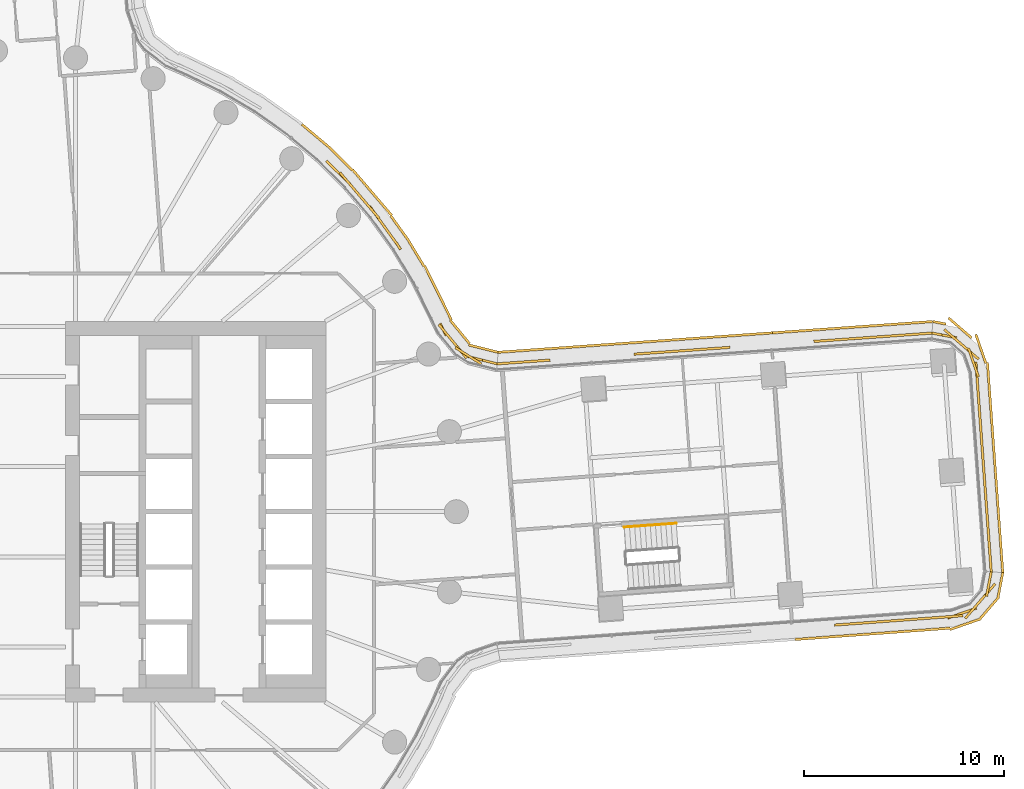
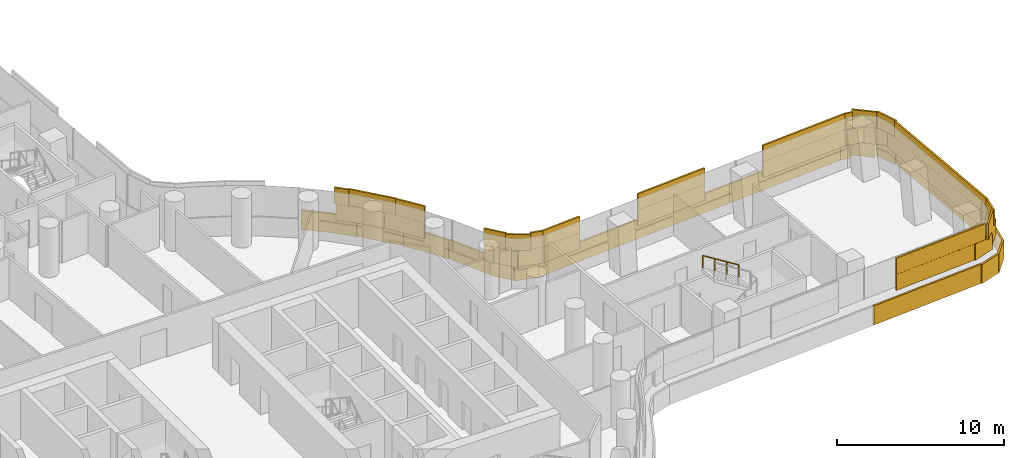
# One storey, part 29 of 31: 5 coverings, 1 railing.
"""IFC4 building model written with IfcOpenShell, lengths in metres."""

from ifc_helpers import new_model, si_unit, direction, frame, origin, origin_2d, place, context, subcontext, project, spatial, rectangle, circle, extrude, material, layer, layer_set, type_object, element, save


model = new_model("IFC4")

# Units and contexts
model_context = context("Model", 3, precision=1e-05, world=origin(), true_north=direction((0.0, 1.0)))
body_context = subcontext(model_context, "Body", "Model", "MODEL_VIEW")
ifc_project = project(units=[si_unit("LENGTHUNIT", "METRE"), si_unit("AREAUNIT", "SQUARE_METRE"), si_unit("VOLUMEUNIT", "CUBIC_METRE"), si_unit("PLANEANGLEUNIT", "RADIAN"), si_unit("MASSUNIT", "GRAM", prefix="KILO")], contexts=[model_context])

# Site, building, storey
site_placement = place(None, origin())
site = spatial("IfcSite", under=ifc_project, at=site_placement, CompositionType="ELEMENT")
building_placement = place(site_placement, origin())
building = spatial("IfcBuilding", under=site, at=building_placement, Name="Tamarind Cross Interchange Tower", CompositionType="ELEMENT")
storey_placement = place(building_placement, frame((0.0, 0.0, 49.0)))
storey = spatial("IfcBuildingStorey", under=building, at=storey_placement, Name="L10", CompositionType="ELEMENT", Elevation=49.0)

# Railing
ifc_material_1 = material(Name="Stair handrail")
railing_type = type_object("IfcRailingType", Name="Stair handrail", PredefinedType="HANDRAIL", material=ifc_material_1)
railing_placement = place(storey_placement, frame((33.97412109375, -0.578857421875, 2.04541015625)))
element("IfcRailing", 1, at=railing_placement, inside=storey, type_object=railing_type, Name="L10 ST3 stair handrail 2", PredefinedType="HANDRAIL", context=body_context, shape_type="SweptSolid", body=[
    extrude(circle(Radius=0.02392578125, at=origin_2d()), frame((0.0, 0.0, 0.8759765625), z_axis=(-0.834086614599, -0.060934966384, 0.548257648572), x_axis=(0.072861742749, -0.997342050875, 0.0)), (0.0, 0.0, 1.0), 3.109130859375),
    extrude(circle(Radius=0.02099609375, at=origin_2d()), origin(), (0.0, 0.0, 1.0), 0.851806640625),
    extrude(circle(Radius=0.02099609375, at=origin_2d()), frame((-0.864501953125, -0.063232421875, 0.568115234375)), (0.0, 0.0, 1.0), 0.851806640625),
    extrude(circle(Radius=0.02099609375, at=origin_2d()), frame((-1.728759765625, -0.126220703125, 1.136474609375)), (0.0, 0.0, 1.0), 0.851806640625),
    extrude(circle(Radius=0.02099609375, at=origin_2d()), frame((-2.59326171875, -0.189453125, 1.70458984375)), (0.0, 0.0, 1.0), 0.851806640625),
])

# Coverings
ifc_material_2 = material(Name="Terracotta", Category="masonry")
ifc_layer = layer(ifc_material_2, 0.1201171875)
ifc_layer_set = layer_set([ifc_layer], Name="Terracotta")
covering_type = type_object("IfcCoveringType", Name="Terracotta baguette screen unit", PredefinedType="MOLDING", material=ifc_layer_set)
covering_1_placement = place(storey_placement, origin())
element("IfcCovering", 2, at=covering_1_placement, inside=storey, type_object=covering_type, Name="SCR-L10-11-01", PredefinedType="MOLDING", context=body_context, shape_type="SweptSolid", body=[
    extrude(rectangle(XDim=1.166259765625, YDim=0.1201171875, at=origin_2d()), frame((42.453369140625, -5.6142578125, 1.404052734375), z_axis=(0.0, 0.0, 1.0), x_axis=(0.997340999058, 0.072876138746, 0.0)), (0.0, 0.0, 1.0), 1.1669921875),
    extrude(rectangle(XDim=1.52001953125, YDim=0.1201171875, at=origin_2d()), frame((43.77783203125, -5.517578125, 1.404052734375), z_axis=(0.0, 0.0, 1.0), x_axis=(0.997340999058, 0.072876138746, 0.0)), (0.0, 0.0, 1.0), 1.1669921875),
    extrude(rectangle(XDim=1.52001953125, YDim=0.1201171875, at=origin_2d()), frame((45.27392578125, -5.408203125, 1.404052734375), z_axis=(0.0, 0.0, 1.0), x_axis=(0.997340999058, 0.072876138746, 0.0)), (0.0, 0.0, 1.0), 1.1669921875),
    extrude(rectangle(XDim=1.52001953125, YDim=0.1201171875, at=origin_2d()), frame((46.77001953125, -5.299072265625, 1.404052734375), z_axis=(0.0, 0.0, 1.0), x_axis=(0.997340999058, 0.072876138746, 0.0)), (0.0, 0.0, 1.0), 1.1669921875),
    extrude(rectangle(XDim=1.52001953125, YDim=0.1201171875, at=origin_2d()), frame((48.239990234375, -5.0634765625, 1.404052734375), z_axis=(0.0, 0.0, 1.0), x_axis=(0.944495695966, 0.328523789553, 0.0)), (0.0, 0.0, 1.0), 1.1669921875),
    extrude(rectangle(XDim=1.52001953125, YDim=0.1201171875, at=origin_2d()), frame((49.388427734375, -4.17578125, 1.404052734375), z_axis=(0.0, 0.0, 1.0), x_axis=(0.653695371695, 0.756757795483, 0.0)), (0.0, 0.0, 1.0), 1.1669921875),
    extrude(rectangle(XDim=0.49267578125, YDim=0.1201171875, at=origin_2d()), frame((49.64990234375, -3.238525390625, 1.404052734375), z_axis=(0.0, 0.0, 1.0), x_axis=(0.187737900482, 0.982219161248, 0.0)), (0.0, 0.0, 1.0), 1.1669921875),
    extrude(rectangle(XDim=0.416259765625, YDim=0.1201171875, at=origin_2d()), frame((42.079345703125, -5.6416015625, 2.5791015625), z_axis=(0.0, 0.0, 1.0), x_axis=(0.997340999058, 0.072876138746, 0.0)), (0.0, 0.0, 1.0), 1.1669921875),
    extrude(rectangle(XDim=1.52001953125, YDim=0.1201171875, at=origin_2d()), frame((43.02978515625, -5.572265625, 2.5791015625), z_axis=(0.0, 0.0, 1.0), x_axis=(0.997340999058, 0.072876138746, 0.0)), (0.0, 0.0, 1.0), 1.1669921875),
    extrude(rectangle(XDim=1.52001953125, YDim=0.1201171875, at=origin_2d()), frame((44.52587890625, -5.462890625, 2.5791015625), z_axis=(0.0, 0.0, 1.0), x_axis=(0.997340999058, 0.072876138746, 0.0)), (0.0, 0.0, 1.0), 1.1669921875),
    extrude(rectangle(XDim=1.52001953125, YDim=0.1201171875, at=origin_2d()), frame((46.02197265625, -5.353515625, 2.5791015625), z_axis=(0.0, 0.0, 1.0), x_axis=(0.997340999058, 0.072876138746, 0.0)), (0.0, 0.0, 1.0), 1.1669921875),
    extrude(rectangle(XDim=1.52001953125, YDim=0.1201171875, at=origin_2d()), frame((47.517822265625, -5.244384765625, 2.5791015625), z_axis=(0.0, 0.0, 1.0), x_axis=(0.997340999058, 0.072876138746, 0.0)), (0.0, 0.0, 1.0), 1.1669921875),
    extrude(rectangle(XDim=1.52001953125, YDim=0.1201171875, at=origin_2d()), frame((48.898193359375, -4.743408203125, 2.5791015625), z_axis=(0.0, 0.0, 1.0), x_axis=(0.653695371695, 0.756757795483, 0.0)), (0.0, 0.0, 1.0), 1.1669921875),
    extrude(rectangle(XDim=1.24267578125, YDim=0.1201171875, at=origin_2d()), frame((49.579345703125, -3.60693359375, 2.5791015625), z_axis=(0.0, 0.0, 1.0), x_axis=(0.187737900482, 0.982219161248, 0.0)), (0.0, 0.0, 1.0), 1.1669921875),
    extrude(rectangle(XDim=0.26513671875, YDim=0.1201171875, at=origin_2d()), frame((40.031005859375, -6.366943359375, 0.00390625), z_axis=(0.0, 0.0, 1.0), x_axis=(0.997340999058, 0.072876138746, 0.0)), (0.0, 0.0, 1.0), 1.39208984375),
    extrude(rectangle(XDim=1.52001953125, YDim=0.1201171875, at=origin_2d()), frame((40.9013671875, -6.30322265625, 0.00390625), z_axis=(0.0, 0.0, 1.0), x_axis=(0.997340999058, 0.072876138746, 0.0)), (0.0, 0.0, 1.0), 1.39208984375),
    extrude(rectangle(XDim=1.52001953125, YDim=0.1201171875, at=origin_2d()), frame((42.397216796875, -6.194091796875, 0.00390625), z_axis=(0.0, 0.0, 1.0), x_axis=(0.997340999058, 0.072876138746, 0.0)), (0.0, 0.0, 1.0), 1.39208984375),
    extrude(rectangle(XDim=1.52001953125, YDim=0.1201171875, at=origin_2d()), frame((43.893310546875, -6.084716796875, 0.00390625), z_axis=(0.0, 0.0, 1.0), x_axis=(0.997340999058, 0.072876138746, 0.0)), (0.0, 0.0, 1.0), 1.39208984375),
    extrude(rectangle(XDim=1.52001953125, YDim=0.1201171875, at=origin_2d()), frame((45.389404296875, -5.975341796875, 0.00390625), z_axis=(0.0, 0.0, 1.0), x_axis=(0.997340999058, 0.072876138746, 0.0)), (0.0, 0.0, 1.0), 1.39208984375),
    extrude(rectangle(XDim=1.52001953125, YDim=0.1201171875, at=origin_2d()), frame((46.88525390625, -5.865966796875, 0.00390625), z_axis=(0.0, 0.0, 1.0), x_axis=(0.997340999058, 0.072876138746, 0.0)), (0.0, 0.0, 1.0), 1.39208984375),
    extrude(rectangle(XDim=1.52001953125, YDim=0.1201171875, at=origin_2d()), frame((48.35546875, -5.631103515625, 0.00390625), z_axis=(0.0, 0.0, 1.0), x_axis=(0.944495695966, 0.328523789553, 0.0)), (0.0, 0.0, 1.0), 1.39208984375),
    extrude(rectangle(XDim=1.52001953125, YDim=0.1201171875, at=origin_2d()), frame((49.5712890625, -4.842529296875, 0.00390625), z_axis=(0.0, 0.0, 1.0), x_axis=(0.653695371695, 0.756757795483, 0.0)), (0.0, 0.0, 1.0), 1.39208984375),
    extrude(rectangle(XDim=1.2607421875, YDim=0.1201171875, at=origin_2d()), frame((50.15478515625, -3.654296875, 0.00390625), z_axis=(0.0, 0.0, 1.0), x_axis=(0.187737900482, 0.982219161248, 0.0)), (0.0, 0.0, 1.0), 1.39208984375),
])
covering_2_placement = place(storey_placement, origin())
element("IfcCovering", 3, at=covering_2_placement, inside=storey, type_object=covering_type, Name="SCR-L10-12-00", PredefinedType="MOLDING", context=body_context, shape_type="SweptSolid", body=[
    extrude(rectangle(XDim=1.510009765625, YDim=0.1201171875, at=origin_2d()), frame((49.640380859375, -2.25341796875, 1.404052734375), z_axis=(0.0, 0.0, 1.0), x_axis=(-0.072876138746, 0.997340999058, 0.0)), (0.0, 0.0, 1.0), 1.1669921875),
    extrude(rectangle(XDim=1.52001953125, YDim=0.1201171875, at=origin_2d()), frame((49.53125, -0.757568359375, 1.404052734375), z_axis=(0.0, 0.0, 1.0), x_axis=(-0.072876138746, 0.997340999058, 0.0)), (0.0, 0.0, 1.0), 1.1669921875),
    extrude(rectangle(XDim=1.52001953125, YDim=0.1201171875, at=origin_2d()), frame((49.421875, 0.738525390625, 1.404052734375), z_axis=(0.0, 0.0, 1.0), x_axis=(-0.072876138746, 0.997340999058, 0.0)), (0.0, 0.0, 1.0), 1.1669921875),
    extrude(rectangle(XDim=1.52001953125, YDim=0.1201171875, at=origin_2d()), frame((49.3125, 2.234619140625, 1.404052734375), z_axis=(0.0, 0.0, 1.0), x_axis=(-0.072876138746, 0.997340999058, 0.0)), (0.0, 0.0, 1.0), 1.1669921875),
    extrude(rectangle(XDim=1.52001953125, YDim=0.1201171875, at=origin_2d()), frame((49.203125, 3.73046875, 1.404052734375), z_axis=(0.0, 0.0, 1.0), x_axis=(-0.072876138746, 0.997340999058, 0.0)), (0.0, 0.0, 1.0), 1.1669921875),
    extrude(rectangle(XDim=1.52001953125, YDim=0.1201171875, at=origin_2d()), frame((49.093994140625, 5.2265625, 1.404052734375), z_axis=(0.0, 0.0, 1.0), x_axis=(-0.072876138746, 0.997340999058, 0.0)), (0.0, 0.0, 1.0), 1.1669921875),
    extrude(rectangle(XDim=1.52001953125, YDim=0.1201171875, at=origin_2d()), frame((48.984619140625, 6.72265625, 1.404052734375), z_axis=(0.0, 0.0, 1.0), x_axis=(-0.072876138746, 0.997340999058, 0.0)), (0.0, 0.0, 1.0), 1.1669921875),
    extrude(rectangle(XDim=1.52001953125, YDim=0.1201171875, at=origin_2d()), frame((48.495361328125, 8.108642578125, 1.404052734375), z_axis=(0.0, 0.0, 1.0), x_axis=(-0.756757795483, 0.653695371695, 0.0)), (0.0, 0.0, 1.0), 1.1669921875),
    extrude(rectangle(XDim=1.259521484375, YDim=0.1201171875, at=origin_2d()), frame((47.3544921875, 8.79931640625, 1.404052734375), z_axis=(0.0, 0.0, 1.0), x_axis=(-0.982219161248, 0.187737900482, 0.0)), (0.0, 0.0, 1.0), 1.1669921875),
    extrude(rectangle(XDim=0.760009765625, YDim=0.1201171875, at=origin_2d()), frame((49.667724609375, -2.62744140625, 2.5791015625), z_axis=(0.0, 0.0, 1.0), x_axis=(-0.072876138746, 0.997340999058, 0.0)), (0.0, 0.0, 1.0), 1.1669921875),
    extrude(rectangle(XDim=1.52001953125, YDim=0.1201171875, at=origin_2d()), frame((49.5859375, -1.505615234375, 2.5791015625), z_axis=(0.0, 0.0, 1.0), x_axis=(-0.072876138746, 0.997340999058, 0.0)), (0.0, 0.0, 1.0), 1.1669921875),
    extrude(rectangle(XDim=1.52001953125, YDim=0.1201171875, at=origin_2d()), frame((49.4765625, -0.009521484375, 2.5791015625), z_axis=(0.0, 0.0, 1.0), x_axis=(-0.072876138746, 0.997340999058, 0.0)), (0.0, 0.0, 1.0), 1.1669921875),
    extrude(rectangle(XDim=1.52001953125, YDim=0.1201171875, at=origin_2d()), frame((49.3671875, 1.486572265625, 2.5791015625), z_axis=(0.0, 0.0, 1.0), x_axis=(-0.072876138746, 0.997340999058, 0.0)), (0.0, 0.0, 1.0), 1.1669921875),
    extrude(rectangle(XDim=1.52001953125, YDim=0.1201171875, at=origin_2d()), frame((49.2578125, 2.982421875, 2.5791015625), z_axis=(0.0, 0.0, 1.0), x_axis=(-0.072876138746, 0.997340999058, 0.0)), (0.0, 0.0, 1.0), 1.1669921875),
    extrude(rectangle(XDim=1.52001953125, YDim=0.1201171875, at=origin_2d()), frame((49.148681640625, 4.478515625, 2.5791015625), z_axis=(0.0, 0.0, 1.0), x_axis=(-0.072876138746, 0.997340999058, 0.0)), (0.0, 0.0, 1.0), 1.1669921875),
    extrude(rectangle(XDim=1.52001953125, YDim=0.1201171875, at=origin_2d()), frame((49.039306640625, 5.974609375, 2.5791015625), z_axis=(0.0, 0.0, 1.0), x_axis=(-0.072876138746, 0.997340999058, 0.0)), (0.0, 0.0, 1.0), 1.1669921875),
    extrude(rectangle(XDim=1.52001953125, YDim=0.1201171875, at=origin_2d()), frame((48.80810546875, 7.4453125, 2.5791015625), z_axis=(0.0, 0.0, 1.0), x_axis=(-0.328523789553, 0.944495695966, 0.0)), (0.0, 0.0, 1.0), 1.1669921875),
    extrude(rectangle(XDim=1.52001953125, YDim=0.1201171875, at=origin_2d()), frame((47.927734375, 8.598876953125, 2.5791015625), z_axis=(0.0, 0.0, 1.0), x_axis=(-0.756757795483, 0.653695371695, 0.0)), (0.0, 0.0, 1.0), 1.1669921875),
    extrude(rectangle(XDim=0.509521484375, YDim=0.1201171875, at=origin_2d()), frame((46.986083984375, 8.869873046875, 2.5791015625), z_axis=(0.0, 0.0, 1.0), x_axis=(-0.982219161248, 0.187737900482, 0.0)), (0.0, 0.0, 1.0), 1.1669921875),
    extrude(rectangle(XDim=1.510009765625, YDim=0.1201171875, at=origin_2d()), frame((50.218017578125, -2.281982421875, 0.00390625), z_axis=(0.0, 0.0, 1.0), x_axis=(-0.072876138746, 0.997340999058, 0.0)), (0.0, 0.0, 1.0), 1.39208984375),
    extrude(rectangle(XDim=1.52001953125, YDim=0.1201171875, at=origin_2d()), frame((50.109130859375, -0.791015625, 0.00390625), z_axis=(0.0, 0.0, 1.0), x_axis=(-0.072876138746, 0.997340999058, 0.0)), (0.0, 0.0, 1.0), 1.39208984375),
    extrude(rectangle(XDim=1.52001953125, YDim=0.1201171875, at=origin_2d()), frame((49.999755859375, 0.705078125, 0.00390625), z_axis=(0.0, 0.0, 1.0), x_axis=(-0.072876138746, 0.997340999058, 0.0)), (0.0, 0.0, 1.0), 1.39208984375),
    extrude(rectangle(XDim=1.52001953125, YDim=0.1201171875, at=origin_2d()), frame((49.890625, 2.200927734375, 0.00390625), z_axis=(0.0, 0.0, 1.0), x_axis=(-0.072876138746, 0.997340999058, 0.0)), (0.0, 0.0, 1.0), 1.39208984375),
    extrude(rectangle(XDim=1.52001953125, YDim=0.1201171875, at=origin_2d()), frame((49.78125, 3.697021484375, 0.00390625), z_axis=(0.0, 0.0, 1.0), x_axis=(-0.072876138746, 0.997340999058, 0.0)), (0.0, 0.0, 1.0), 1.39208984375),
    extrude(rectangle(XDim=1.52001953125, YDim=0.1201171875, at=origin_2d()), frame((49.671875, 5.193115234375, 0.00390625), z_axis=(0.0, 0.0, 1.0), x_axis=(-0.072876138746, 0.997340999058, 0.0)), (0.0, 0.0, 1.0), 1.39208984375),
    extrude(rectangle(XDim=1.52001953125, YDim=0.1201171875, at=origin_2d()), frame((49.5625, 6.68896484375, 0.00390625), z_axis=(0.0, 0.0, 1.0), x_axis=(-0.072876138746, 0.997340999058, 0.0)), (0.0, 0.0, 1.0), 1.39208984375),
    extrude(rectangle(XDim=1.52001953125, YDim=0.1201171875, at=origin_2d()), frame((49.178466796875, 8.128173828125, 0.00390625), z_axis=(0.0, 0.0, 1.0), x_axis=(-0.328523789553, 0.944495695966, 0.0)), (0.0, 0.0, 1.0), 1.39208984375),
    extrude(rectangle(XDim=1.52001953125, YDim=0.1201171875, at=origin_2d()), frame((48.139892578125, 9.17431640625, 0.00390625), z_axis=(0.0, 0.0, 1.0), x_axis=(-0.756757795483, 0.653695371695, 0.0)), (0.0, 0.0, 1.0), 1.39208984375),
    extrude(rectangle(XDim=0.676513671875, YDim=0.1201171875, at=origin_2d()), frame((47.107177734375, 9.43115234375, 0.00390625), z_axis=(0.0, 0.0, 1.0), x_axis=(-0.982219161248, 0.187737900482, 0.0)), (0.0, 0.0, 1.0), 1.39208984375),
])
covering_3_placement = place(storey_placement, origin())
element("IfcCovering", 4, at=covering_3_placement, inside=storey, type_object=covering_type, Name="SCR-L10-13-00", PredefinedType="MOLDING", context=body_context, shape_type="SweptSolid", body=[
    extrude(rectangle(XDim=1.510009765625, YDim=0.1201171875, at=origin_2d()), frame((45.99267578125, 8.86376953125, 1.404052734375), z_axis=(0.0, 0.0, 1.0), x_axis=(-0.997505146966, -0.070593780008, 0.0)), (0.0, 0.0, 1.0), 1.1669921875),
    extrude(rectangle(XDim=1.52001953125, YDim=0.1201171875, at=origin_2d()), frame((44.496337890625, 8.7578125, 1.404052734375), z_axis=(0.0, 0.0, 1.0), x_axis=(-0.997505146966, -0.070593780008, 0.0)), (0.0, 0.0, 1.0), 1.1669921875),
    extrude(rectangle(XDim=1.52001953125, YDim=0.1201171875, at=origin_2d()), frame((43.0, 8.65185546875, 1.404052734375), z_axis=(0.0, 0.0, 1.0), x_axis=(-0.997505146966, -0.070593780008, 0.0)), (0.0, 0.0, 1.0), 1.1669921875),
    extrude(rectangle(XDim=1.421630859375, YDim=0.1201171875, at=origin_2d()), frame((41.5478515625, 8.549072265625, 1.404052734375), z_axis=(0.0, 0.0, 1.0), x_axis=(-0.997505146966, -0.070593780008, 0.0)), (0.0, 0.0, 1.0), 1.1669921875),
    extrude(rectangle(XDim=0.760009765625, YDim=0.1201171875, at=origin_2d()), frame((46.36669921875, 8.89013671875, 2.5791015625), z_axis=(0.0, 0.0, 1.0), x_axis=(-0.997505146966, -0.070593780008, 0.0)), (0.0, 0.0, 1.0), 1.1669921875),
    extrude(rectangle(XDim=1.52001953125, YDim=0.1201171875, at=origin_2d()), frame((45.244384765625, 8.810791015625, 2.5791015625), z_axis=(0.0, 0.0, 1.0), x_axis=(-0.997505146966, -0.070593780008, 0.0)), (0.0, 0.0, 1.0), 1.1669921875),
    extrude(rectangle(XDim=1.52001953125, YDim=0.1201171875, at=origin_2d()), frame((43.748291015625, 8.704833984375, 2.5791015625), z_axis=(0.0, 0.0, 1.0), x_axis=(-0.997505146966, -0.070593780008, 0.0)), (0.0, 0.0, 1.0), 1.1669921875),
    extrude(rectangle(XDim=1.52001953125, YDim=0.1201171875, at=origin_2d()), frame((42.251953125, 8.59912109375, 2.5791015625), z_axis=(0.0, 0.0, 1.0), x_axis=(-0.997505146966, -0.070593780008, 0.0)), (0.0, 0.0, 1.0), 1.1669921875),
    extrude(rectangle(XDim=0.671630859375, YDim=0.1201171875, at=origin_2d()), frame((41.173828125, 8.522705078125, 2.5791015625), z_axis=(0.0, 0.0, 1.0), x_axis=(-0.997505146966, -0.070593780008, 0.0)), (0.0, 0.0, 1.0), 1.1669921875),
    extrude(rectangle(XDim=1.510009765625, YDim=0.1201171875, at=origin_2d()), frame((46.021728515625, 9.441162109375, 0.00390625), z_axis=(0.0, 0.0, 1.0), x_axis=(-0.997505146966, -0.070593780008, 0.0)), (0.0, 0.0, 1.0), 1.39208984375),
    extrude(rectangle(XDim=1.52001953125, YDim=0.1201171875, at=origin_2d()), frame((44.530517578125, 9.335693359375, 0.00390625), z_axis=(0.0, 0.0, 1.0), x_axis=(-0.997505146966, -0.070593780008, 0.0)), (0.0, 0.0, 1.0), 1.39208984375),
    extrude(rectangle(XDim=1.52001953125, YDim=0.1201171875, at=origin_2d()), frame((43.0341796875, 9.229736328125, 0.00390625), z_axis=(0.0, 0.0, 1.0), x_axis=(-0.997505146966, -0.070593780008, 0.0)), (0.0, 0.0, 1.0), 1.39208984375),
    extrude(rectangle(XDim=1.52001953125, YDim=0.1201171875, at=origin_2d()), frame((41.5380859375, 9.1240234375, 0.00390625), z_axis=(0.0, 0.0, 1.0), x_axis=(-0.997505146966, -0.070593780008, 0.0)), (0.0, 0.0, 1.0), 1.39208984375),
    extrude(rectangle(XDim=1.52001953125, YDim=0.1201171875, at=origin_2d()), frame((40.041748046875, 9.01806640625, 0.00390625), z_axis=(0.0, 0.0, 1.0), x_axis=(-0.997505146966, -0.070593780008, 0.0)), (0.0, 0.0, 1.0), 1.39208984375),
    extrude(rectangle(XDim=0.515625, YDim=0.1201171875, at=origin_2d()), frame((39.04638671875, 8.947509765625, 0.00390625), z_axis=(0.0, 0.0, 1.0), x_axis=(-0.997505146966, -0.070593780008, 0.0)), (0.0, 0.0, 1.0), 1.39208984375),
])
covering_4_placement = place(storey_placement, origin())
element("IfcCovering", 5, at=covering_4_placement, inside=storey, type_object=covering_type, Name="SCR-L10-13-01", PredefinedType="MOLDING", context=body_context, shape_type="SweptSolid", body=[
    extrude(rectangle(XDim=0.398193359375, YDim=0.1201171875, at=origin_2d()), frame((36.46044921875, 8.189208984375, 1.404052734375), z_axis=(0.0, 0.0, 1.0), x_axis=(-0.997505146966, -0.070593780008, 0.0)), (0.0, 0.0, 1.0), 1.1669921875),
    extrude(rectangle(XDim=1.52001953125, YDim=0.1201171875, at=origin_2d()), frame((35.518798828125, 8.12255859375, 1.404052734375), z_axis=(0.0, 0.0, 1.0), x_axis=(-0.997505146966, -0.070593780008, 0.0)), (0.0, 0.0, 1.0), 1.1669921875),
    extrude(rectangle(XDim=1.52001953125, YDim=0.1201171875, at=origin_2d()), frame((34.0224609375, 8.0166015625, 1.404052734375), z_axis=(0.0, 0.0, 1.0), x_axis=(-0.997505146966, -0.070593780008, 0.0)), (0.0, 0.0, 1.0), 1.1669921875),
    extrude(rectangle(XDim=1.420654296875, YDim=0.1201171875, at=origin_2d()), frame((32.57080078125, 7.913818359375, 1.404052734375), z_axis=(0.0, 0.0, 1.0), x_axis=(-0.997505146966, -0.070593780008, 0.0)), (0.0, 0.0, 1.0), 1.1669921875),
    extrude(rectangle(XDim=0.3994140625, YDim=0.1201171875, at=origin_2d()), frame((27.4833984375, 7.553955078125, 1.404052734375), z_axis=(0.0, 0.0, 1.0), x_axis=(-0.997505146966, -0.070593780008, 0.0)), (0.0, 0.0, 1.0), 1.1669921875),
    extrude(rectangle(XDim=1.52001953125, YDim=0.1201171875, at=origin_2d()), frame((26.541259765625, 7.487060546875, 1.404052734375), z_axis=(0.0, 0.0, 1.0), x_axis=(-0.997505146966, -0.070593780008, 0.0)), (0.0, 0.0, 1.0), 1.1669921875),
    extrude(rectangle(XDim=0.769287109375, YDim=0.1201171875, at=origin_2d()), frame((25.414306640625, 7.407470703125, 1.404052734375), z_axis=(0.0, 0.0, 1.0), x_axis=(-0.997505146966, -0.070593780008, 0.0)), (0.0, 0.0, 1.0), 1.1669921875),
    extrude(rectangle(XDim=1.148193359375, YDim=0.1201171875, at=origin_2d()), frame((36.08642578125, 8.16259765625, 2.5791015625), z_axis=(0.0, 0.0, 1.0), x_axis=(-0.997505146966, -0.070593780008, 0.0)), (0.0, 0.0, 1.0), 1.1669921875),
    extrude(rectangle(XDim=1.52001953125, YDim=0.1201171875, at=origin_2d()), frame((34.770751953125, 8.069580078125, 2.5791015625), z_axis=(0.0, 0.0, 1.0), x_axis=(-0.997505146966, -0.070593780008, 0.0)), (0.0, 0.0, 1.0), 1.1669921875),
    extrude(rectangle(XDim=1.52001953125, YDim=0.1201171875, at=origin_2d()), frame((33.2744140625, 7.963623046875, 2.5791015625), z_axis=(0.0, 0.0, 1.0), x_axis=(-0.997505146966, -0.070593780008, 0.0)), (0.0, 0.0, 1.0), 1.1669921875),
    extrude(rectangle(XDim=0.670654296875, YDim=0.1201171875, at=origin_2d()), frame((32.19677734375, 7.887451171875, 2.5791015625), z_axis=(0.0, 0.0, 1.0), x_axis=(-0.997505146966, -0.070593780008, 0.0)), (0.0, 0.0, 1.0), 1.1669921875),
    extrude(rectangle(XDim=1.1494140625, YDim=0.1201171875, at=origin_2d()), frame((27.109375, 7.52734375, 2.5791015625), z_axis=(0.0, 0.0, 1.0), x_axis=(-0.997505146966, -0.070593780008, 0.0)), (0.0, 0.0, 1.0), 1.1669921875),
    extrude(rectangle(XDim=1.52001953125, YDim=0.1201171875, at=origin_2d()), frame((25.79296875, 7.434326171875, 2.5791015625), z_axis=(0.0, 0.0, 1.0), x_axis=(-0.997505146966, -0.070593780008, 0.0)), (0.0, 0.0, 1.0), 1.1669921875),
    extrude(rectangle(XDim=1.00439453125, YDim=0.1201171875, at=origin_2d()), frame((38.288330078125, 8.89404296875, 0.00390625), z_axis=(0.0, 0.0, 1.0), x_axis=(-0.997505146966, -0.070593780008, 0.0)), (0.0, 0.0, 1.0), 1.39208984375),
    extrude(rectangle(XDim=1.52001953125, YDim=0.1201171875, at=origin_2d()), frame((37.04931640625, 8.80615234375, 0.00390625), z_axis=(0.0, 0.0, 1.0), x_axis=(-0.997505146966, -0.070593780008, 0.0)), (0.0, 0.0, 1.0), 1.39208984375),
    extrude(rectangle(XDim=1.52001953125, YDim=0.1201171875, at=origin_2d()), frame((35.552978515625, 8.700439453125, 0.00390625), z_axis=(0.0, 0.0, 1.0), x_axis=(-0.997505146966, -0.070593780008, 0.0)), (0.0, 0.0, 1.0), 1.39208984375),
    extrude(rectangle(XDim=1.52001953125, YDim=0.1201171875, at=origin_2d()), frame((34.056640625, 8.594482421875, 0.00390625), z_axis=(0.0, 0.0, 1.0), x_axis=(-0.997505146966, -0.070593780008, 0.0)), (0.0, 0.0, 1.0), 1.39208984375),
    extrude(rectangle(XDim=1.52001953125, YDim=0.1201171875, at=origin_2d()), frame((32.560546875, 8.488525390625, 0.00390625), z_axis=(0.0, 0.0, 1.0), x_axis=(-0.997505146966, -0.070593780008, 0.0)), (0.0, 0.0, 1.0), 1.39208984375),
    extrude(rectangle(XDim=1.52001953125, YDim=0.1201171875, at=origin_2d()), frame((31.064208984375, 8.3828125, 0.00390625), z_axis=(0.0, 0.0, 1.0), x_axis=(-0.997505146966, -0.070593780008, 0.0)), (0.0, 0.0, 1.0), 1.39208984375),
    extrude(rectangle(XDim=1.52001953125, YDim=0.1201171875, at=origin_2d()), frame((29.56787109375, 8.27685546875, 0.00390625), z_axis=(0.0, 0.0, 1.0), x_axis=(-0.997505146966, -0.070593780008, 0.0)), (0.0, 0.0, 1.0), 1.39208984375),
    extrude(rectangle(XDim=1.52001953125, YDim=0.1201171875, at=origin_2d()), frame((28.07177734375, 8.1708984375, 0.00390625), z_axis=(0.0, 0.0, 1.0), x_axis=(-0.997505146966, -0.070593780008, 0.0)), (0.0, 0.0, 1.0), 1.39208984375),
    extrude(rectangle(XDim=1.52001953125, YDim=0.1201171875, at=origin_2d()), frame((26.575439453125, 8.06494140625, 0.00390625), z_axis=(0.0, 0.0, 1.0), x_axis=(-0.997505146966, -0.070593780008, 0.0)), (0.0, 0.0, 1.0), 1.39208984375),
    extrude(rectangle(XDim=0.752685546875, YDim=0.1201171875, at=origin_2d()), frame((25.4619140625, 7.986328125, 0.00390625), z_axis=(0.0, 0.0, 1.0), x_axis=(-0.997505146966, -0.070593780008, 0.0)), (0.0, 0.0, 1.0), 1.39208984375),
])
covering_5_placement = place(storey_placement, origin())
element("IfcCovering", 6, at=covering_5_placement, inside=storey, type_object=covering_type, Name="SCR-L10-14-00", PredefinedType="MOLDING", context=body_context, shape_type="SweptSolid", body=[
    extrude(rectangle(XDim=1.510009765625, YDim=0.1201171875, at=origin_2d()), frame((24.30810546875, 7.5625, 1.404052734375), z_axis=(0.0, 0.0, 1.0), x_axis=(-0.970140768111, 0.24254255307, 0.0)), (0.0, 0.0, 1.0), 1.1669921875),
    extrude(rectangle(XDim=1.52001953125, YDim=0.1201171875, at=origin_2d()), frame((23.026123046875, 8.25537109375, 1.404052734375), z_axis=(0.0, 0.0, 1.0), x_axis=(-0.636504259812, 0.771273185869, 0.0)), (0.0, 0.0, 1.0), 1.1669921875),
    extrude(rectangle(XDim=0.6767578125, YDim=0.1201171875, at=origin_2d()), frame((22.33984375, 9.093017578125, 1.404052734375), z_axis=(0.0, 0.0, 1.0), x_axis=(-0.432129846879, 0.901811396821, 0.0)), (0.0, 0.0, 1.0), 1.1669921875),
    extrude(rectangle(XDim=1.143310546875, YDim=0.1201171875, at=origin_2d()), frame((19.89208984375, 13.558837890625, 1.404052734375), z_axis=(0.0, 0.0, 1.0), x_axis=(-0.584573890505, 0.811340475102, 0.0)), (0.0, 0.0, 1.0), 1.1669921875),
    extrude(rectangle(XDim=1.52001953125, YDim=0.1201171875, at=origin_2d()), frame((19.12255859375, 14.627197265625, 1.404052734375), z_axis=(0.0, 0.0, 1.0), x_axis=(-0.584573890505, 0.811340475102, 0.0)), (0.0, 0.0, 1.0), 1.1669921875),
    extrude(rectangle(XDim=1.52001953125, YDim=0.1201171875, at=origin_2d()), frame((18.16796875, 15.783203125, 1.404052734375), z_axis=(0.0, 0.0, 1.0), x_axis=(-0.64957723968, 0.760295606781, 0.0)), (0.0, 0.0, 1.0), 1.1669921875),
    extrude(rectangle(XDim=1.52001953125, YDim=0.1201171875, at=origin_2d()), frame((17.151123046875, 16.884033203125, 1.404052734375), z_axis=(0.0, 0.0, 1.0), x_axis=(-0.710143317658, 0.704057148523, 0.0)), (0.0, 0.0, 1.0), 1.1669921875),
    extrude(rectangle(XDim=0.760009765625, YDim=0.1201171875, at=origin_2d()), frame((24.671875, 7.4716796875, 2.5791015625), z_axis=(0.0, 0.0, 1.0), x_axis=(-0.970140768111, 0.24254255307, 0.0)), (0.0, 0.0, 1.0), 1.1669921875),
    extrude(rectangle(XDim=1.52001953125, YDim=0.1201171875, at=origin_2d()), frame((23.59716796875, 7.783203125, 2.5791015625), z_axis=(0.0, 0.0, 1.0), x_axis=(-0.845704488554, 0.533651494929, 0.0)), (0.0, 0.0, 1.0), 1.1669921875),
    extrude(rectangle(XDim=1.4267578125, YDim=0.1201171875, at=origin_2d()), frame((22.5751953125, 8.8017578125, 2.5791015625), z_axis=(0.0, 0.0, 1.0), x_axis=(-0.636504259812, 0.771273185869, 0.0)), (0.0, 0.0, 1.0), 1.1669921875),
    extrude(rectangle(XDim=0.393310546875, YDim=0.1201171875, at=origin_2d()), frame((20.11083984375, 13.25439453125, 2.5791015625), z_axis=(0.0, 0.0, 1.0), x_axis=(-0.515577308909, 0.856843065292, 0.0)), (0.0, 0.0, 1.0), 1.1669921875),
    extrude(rectangle(XDim=1.52001953125, YDim=0.1201171875, at=origin_2d()), frame((19.560791015625, 14.0185546875, 2.5791015625), z_axis=(0.0, 0.0, 1.0), x_axis=(-0.584573890505, 0.811340475102, 0.0)), (0.0, 0.0, 1.0), 1.1669921875),
    extrude(rectangle(XDim=1.52001953125, YDim=0.1201171875, at=origin_2d()), frame((18.6552734375, 15.212890625, 2.5791015625), z_axis=(0.0, 0.0, 1.0), x_axis=(-0.64957723968, 0.760295606781, 0.0)), (0.0, 0.0, 1.0), 1.1669921875),
    extrude(rectangle(XDim=1.52001953125, YDim=0.1201171875, at=origin_2d()), frame((17.680908203125, 16.353515625, 2.5791015625), z_axis=(0.0, 0.0, 1.0), x_axis=(-0.64957723968, 0.760295606781, 0.0)), (0.0, 0.0, 1.0), 1.1669921875),
    extrude(rectangle(XDim=0.895751953125, YDim=0.1201171875, at=origin_2d()), frame((16.83642578125, 17.196044921875, 2.5791015625), z_axis=(0.0, 0.0, 1.0), x_axis=(-0.710143317658, 0.704057148523, 0.0)), (0.0, 0.0, 1.0), 1.1669921875),
    extrude(rectangle(XDim=1.510009765625, YDim=0.1201171875, at=origin_2d()), frame((24.35400390625, 8.142822265625, 0.00390625), z_axis=(0.0, 0.0, 1.0), x_axis=(-0.970140768111, 0.24254255307, 0.0)), (0.0, 0.0, 1.0), 1.39208984375),
    extrude(rectangle(XDim=1.52001953125, YDim=0.1201171875, at=origin_2d()), frame((23.176513671875, 8.97509765625, 0.00390625), z_axis=(0.0, 0.0, 1.0), x_axis=(-0.636504259812, 0.771273185869, 0.0)), (0.0, 0.0, 1.0), 1.39208984375),
    extrude(rectangle(XDim=1.52001953125, YDim=0.1201171875, at=origin_2d()), frame((22.41552734375, 10.256103515625, 0.00390625), z_axis=(0.0, 0.0, 1.0), x_axis=(-0.443058811505, 0.896492548518, 0.0)), (0.0, 0.0, 1.0), 1.39208984375),
    extrude(rectangle(XDim=1.52001953125, YDim=0.1201171875, at=origin_2d()), frame((21.7509765625, 11.600830078125, 0.00390625), z_axis=(0.0, 0.0, 1.0), x_axis=(-0.443058811505, 0.896492548518, 0.0)), (0.0, 0.0, 1.0), 1.39208984375),
    extrude(rectangle(XDim=1.52001953125, YDim=0.1201171875, at=origin_2d()), frame((20.99609375, 12.896240234375, 0.00390625), z_axis=(0.0, 0.0, 1.0), x_axis=(-0.515577308909, 0.856843065292, 0.0)), (0.0, 0.0, 1.0), 1.39208984375),
    extrude(rectangle(XDim=1.52001953125, YDim=0.1201171875, at=origin_2d()), frame((20.174072265625, 14.1494140625, 0.00390625), z_axis=(0.0, 0.0, 1.0), x_axis=(-0.584573890505, 0.811340475102, 0.0)), (0.0, 0.0, 1.0), 1.39208984375),
    extrude(rectangle(XDim=1.52001953125, YDim=0.1201171875, at=origin_2d()), frame((19.286376953125, 15.35791015625, 0.00390625), z_axis=(0.0, 0.0, 1.0), x_axis=(-0.64957723968, 0.760295606781, 0.0)), (0.0, 0.0, 1.0), 1.39208984375),
    extrude(rectangle(XDim=1.52001953125, YDim=0.1201171875, at=origin_2d()), frame((18.31201171875, 16.498291015625, 0.00390625), z_axis=(0.0, 0.0, 1.0), x_axis=(-0.64957723968, 0.760295606781, 0.0)), (0.0, 0.0, 1.0), 1.39208984375),
    extrude(rectangle(XDim=1.52001953125, YDim=0.1201171875, at=origin_2d()), frame((17.26904296875, 17.5751953125, 0.00390625), z_axis=(0.0, 0.0, 1.0), x_axis=(-0.710143317658, 0.704057148523, 0.0)), (0.0, 0.0, 1.0), 1.39208984375),
    extrude(rectangle(XDim=1.52001953125, YDim=0.1201171875, at=origin_2d()), frame((16.1708984375, 18.59521484375, 0.00390625), z_axis=(0.0, 0.0, 1.0), x_axis=(-0.765858396687, 0.643009266048, 0.0)), (0.0, 0.0, 1.0), 1.39208984375),
    extrude(rectangle(XDim=0.4072265625, YDim=0.1201171875, at=origin_2d()), frame((15.4482421875, 19.2021484375, 0.00390625), z_axis=(0.0, 0.0, 1.0), x_axis=(-0.765858396687, 0.643009266048, 0.0)), (0.0, 0.0, 1.0), 1.39208984375),
])

save(model, "model.ifc")
